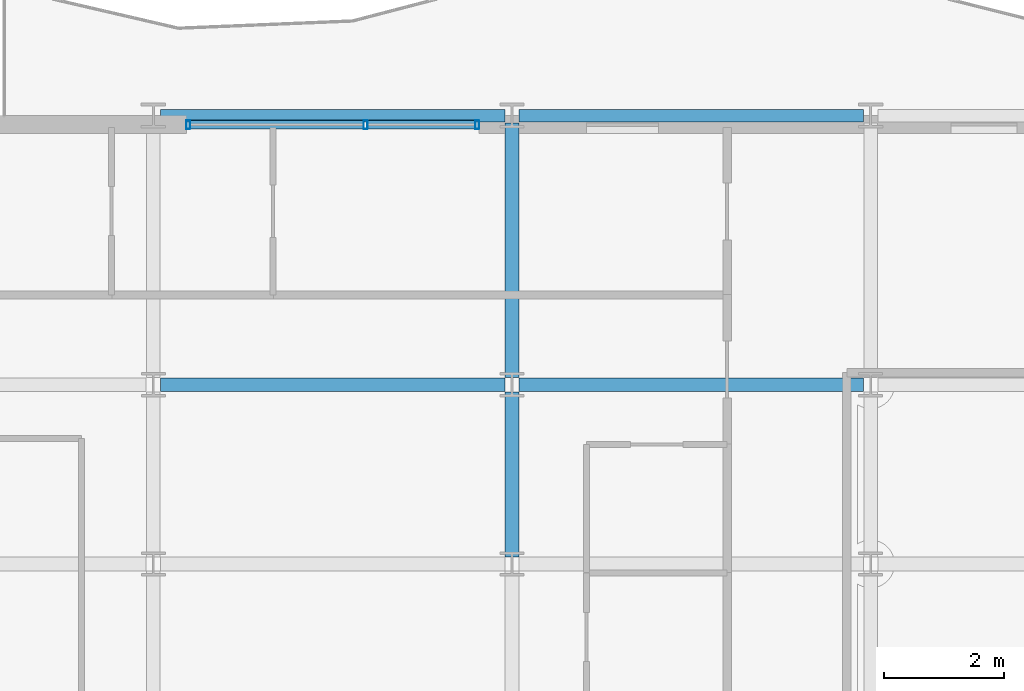
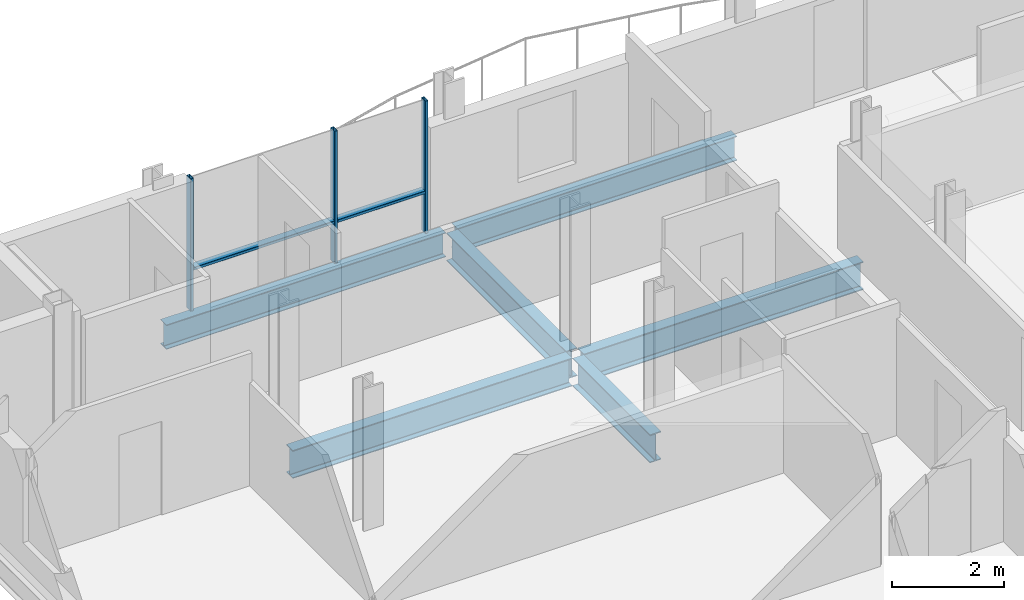
# One storey, part 9 of 40: 6 beams, 5 members, 1 element without a shape of its own.
"""IFC4 building model written with IfcOpenShell, lengths in metres."""

from ifc_helpers import new_model, si_unit, direction, frame, origin, origin_2d, place, context, subcontext, project, spatial, hollow_rectangle, i_section, extrude, material, layer, layer_set, material_profile, profile_set, type_object, element, aggregate, save


model = new_model("IFC4")

# Units and contexts
model_context = context("Model", 3, precision=1e-05, world=origin(), true_north=direction((0.0, 1.0)))
body_context = subcontext(model_context, "Body", "Model", "MODEL_VIEW")
ifc_project = project(units=[si_unit("LENGTHUNIT", "METRE"), si_unit("AREAUNIT", "SQUARE_METRE"), si_unit("VOLUMEUNIT", "CUBIC_METRE"), si_unit("PLANEANGLEUNIT", "RADIAN"), si_unit("MASSUNIT", "GRAM", prefix="KILO")], contexts=[model_context])

# Site, building, storey
site_placement = place(None, origin())
site = spatial("IfcSite", under=ifc_project, at=site_placement, CompositionType="ELEMENT")
building_placement = place(site_placement, origin())
building = spatial("IfcBuilding", under=site, at=building_placement, Name="Brevholm Reach", CompositionType="ELEMENT")
storey_placement = place(building_placement, frame((0.0, 0.0, 160.39990234375)))
storey = spatial("IfcBuildingStorey", under=building, at=storey_placement, Name="L48", CompositionType="ELEMENT", Elevation=160.39990234375)

# Beams
ifc_material_1 = material(Name="Structural Steel S355J2", Category="steel")
ifc_material_profile_1 = material_profile(ifc_material_1, i_section(OverallWidth=0.209228515625, OverallDepth=0.533203125, WebThickness=0.010009765625, FlangeThickness=0.015625, FilletRadius=0.0126953125, at=origin_2d()), Name="UKB 533x210x92")
ifc_profile_set_1 = profile_set([ifc_material_profile_1], Name="Structural Steel S355J2")
beam_type_1 = type_object("IfcBeamType", Name="BM-SP533", PredefinedType="SPANDREL", material=ifc_profile_set_1)
for number, where, z_axis, x_axis, name in (
    (1, (6.1201171875, 31.0, -0.486572265625), (1.0, 0.0, 0.0), (0.0, 1.0, 0.0), "L48 SP-02 Framing Beam"),
    (2, (12.1201171875, 31.0, -0.486572265625), (1.0, 0.0, 0.0), (0.0, 1.0, 0.0), "L48 SP-02 Framing Beam"),
):
    element("IfcBeam", number, at=place(storey_placement, frame(where, z_axis=z_axis, x_axis=x_axis)), inside=storey, type_object=beam_type_1, Name=name, PredefinedType="SPANDREL", context=body_context, shape_type="SweptSolid", body=[
        extrude(i_section(OverallWidth=0.209228515625, OverallDepth=0.533203125, WebThickness=0.010009765625, FlangeThickness=0.015625, FilletRadius=0.0126953125, at=origin_2d()), origin(), (0.0, 0.0, 1.0), 5.759765625),
    ])
ifc_material_2 = material(Name="Structural Steel S355J2", Category="steel")
ifc_material_profile_2 = material_profile(ifc_material_2, i_section(OverallWidth=0.22900390625, OverallDepth=0.6123046875, WebThickness=0.011962890625, FlangeThickness=0.01953125, FilletRadius=0.0126953125, at=origin_2d()), Name="UKB 610x229x125")
ifc_profile_set_2 = profile_set([ifc_material_profile_2], Name="Structural Steel S355J2")
beam_type_2 = type_object("IfcBeamType", Name="BM-SP610", PredefinedType="SPANDREL", material=ifc_profile_set_2)
for number, where, z_axis, x_axis, name in (
    (3, (6.1201171875, 26.5, -0.526123046875), (1.0, 0.0, 0.0), (0.0, 1.0, 0.0), "L48 SP-01 Framing Beam"),
    (4, (12.1201171875, 26.5, -0.526123046875), (1.0, 0.0, 0.0), (0.0, 1.0, 0.0), "L48 SP-01 Framing Beam"),
):
    element("IfcBeam", number, at=place(storey_placement, frame(where, z_axis=z_axis, x_axis=x_axis)), inside=storey, type_object=beam_type_2, Name=name, PredefinedType="SPANDREL", context=body_context, shape_type="SweptSolid", body=[
        extrude(i_section(OverallWidth=0.22900390625, OverallDepth=0.6123046875, WebThickness=0.011962890625, FlangeThickness=0.01953125, FilletRadius=0.0126953125, at=origin_2d()), origin(), (0.0, 0.0, 1.0), 5.759765625),
    ])
beam_1_placement = place(storey_placement, frame((12.0, 23.6201171875, -0.526123046875), z_axis=(0.0, 1.0, 0.0), x_axis=(-1.0, 0.0, 0.0)))
element("IfcBeam", 5, at=beam_1_placement, inside=storey, type_object=beam_type_2, Name="L48 SP-01 Framing Beam", PredefinedType="SPANDREL", context=body_context, shape_type="SweptSolid", body=[
    extrude(i_section(OverallWidth=0.22900390625, OverallDepth=0.6123046875, WebThickness=0.011962890625, FlangeThickness=0.01953125, FilletRadius=0.0126953125, at=origin_2d()), origin(), (0.0, 0.0, 1.0), 2.759765625),
])
beam_2_placement = place(storey_placement, frame((12.0, 26.6201171875, -0.526123046875), z_axis=(0.0, 1.0, 0.0), x_axis=(-1.0, 0.0, 0.0)))
element("IfcBeam", 6, at=beam_2_placement, inside=storey, type_object=beam_type_2, Name="L48 SP-01 Framing Beam", PredefinedType="SPANDREL", context=body_context, shape_type="SweptSolid", body=[
    extrude(i_section(OverallWidth=0.22900390625, OverallDepth=0.6123046875, WebThickness=0.011962890625, FlangeThickness=0.01953125, FilletRadius=0.0126953125, at=origin_2d()), origin(), (0.0, 0.0, 1.0), 4.259765625),
])

# Curtain wall, members
ifc_material_3 = material(Name="Dark Anodised Aluminium 6063-T6 and Solar-Control Glass", Category="aluminium")
ifc_layer = layer(ifc_material_3, 0.14990234375)
ifc_layer_set = layer_set([ifc_layer], Name="Dark Anodised Aluminium 6063-T6 and Solar-Control Glass")
curtain_wall_type = type_object("IfcCurtainWallType", Name="CW-01", PredefinedType="NOTDEFINED", material=ifc_layer_set)
curtain_wall_placement = place(storey_placement, origin())
curtain_wall = element("IfcCurtainWall", 7, at=curtain_wall_placement, inside=storey, type_object=curtain_wall_type, Name="L48 Curtain Wall CW-01", PredefinedType="NOTDEFINED")
ifc_material_4 = material(Name="Dark Anodised Aluminium 6063-T6", Category="aluminium")
ifc_material_profile_3 = material_profile(ifc_material_4, hollow_rectangle(XDim=0.06494140625, YDim=0.14990234375, WallThickness=0.0048828125, InnerFilletRadius=0.0048828125, OuterFilletRadius=0.010009765625, at=origin_2d()), Name="RHS 150x65x5")
ifc_profile_set_3 = profile_set([ifc_material_profile_3], Name="Dark Anodised Aluminium 6063-T6")
member_type_1 = type_object("IfcMemberType", Name="CWM-150", PredefinedType="MULLION", material=ifc_profile_set_3)
member_1_placement = place(storey_placement, frame((6.58251953125, 30.85009765625, 0.0), z_axis=(0.0, 0.0, 1.0), x_axis=(1.0, 0.0, 0.0)))
member_1 = element("IfcMember", 8, at=member_1_placement, type_object=member_type_1, Name="CM-150 Mullion 1", PredefinedType="MULLION", context=body_context, shape_type="SweptSolid", body=[
    extrude(hollow_rectangle(XDim=0.06494140625, YDim=0.14990234375, WallThickness=0.0048828125, InnerFilletRadius=0.0048828125, OuterFilletRadius=0.010009765625, at=origin_2d()), origin(), (0.0, 0.0, 1.0), 2.880126953125),
])
member_2_placement = place(storey_placement, frame((9.550048828125, 30.85009765625, 0.0), z_axis=(0.0, 0.0, 1.0), x_axis=(1.0, 0.0, 0.0)))
member_2 = element("IfcMember", 9, at=member_2_placement, type_object=member_type_1, Name="CM-150 Mullion 2", PredefinedType="MULLION", context=body_context, shape_type="SweptSolid", body=[
    extrude(hollow_rectangle(XDim=0.06494140625, YDim=0.14990234375, WallThickness=0.0048828125, InnerFilletRadius=0.0048828125, OuterFilletRadius=0.010009765625, at=origin_2d()), origin(), (0.0, 0.0, 1.0), 2.880126953125),
])
member_3_placement = place(storey_placement, frame((11.41748046875, 30.85009765625, 0.0), z_axis=(0.0, 0.0, 1.0), x_axis=(1.0, 0.0, 0.0)))
member_3 = element("IfcMember", 10, at=member_3_placement, type_object=member_type_1, Name="CM-150 Mullion 3", PredefinedType="MULLION", context=body_context, shape_type="SweptSolid", body=[
    extrude(hollow_rectangle(XDim=0.06494140625, YDim=0.14990234375, WallThickness=0.0048828125, InnerFilletRadius=0.0048828125, OuterFilletRadius=0.010009765625, at=origin_2d()), origin(), (0.0, 0.0, 1.0), 2.880126953125),
])
ifc_material_5 = material(Name="Dark Anodised Aluminium 6063-T6", Category="aluminium")
ifc_material_profile_4 = material_profile(ifc_material_5, hollow_rectangle(XDim=0.06494140625, YDim=0.14990234375, WallThickness=0.0048828125, InnerFilletRadius=0.0048828125, OuterFilletRadius=0.010009765625, at=origin_2d()), Name="RHS 150x65x5")
ifc_profile_set_4 = profile_set([ifc_material_profile_4], Name="Dark Anodised Aluminium 6063-T6")
member_type_2 = type_object("IfcMemberType", Name="CWT-150", PredefinedType="NOTDEFINED", material=ifc_profile_set_4)
member_4_placement = place(storey_placement, frame((6.614990234375, 30.85009765625, 0.900146484375), z_axis=(1.0, 0.0, 0.0), x_axis=(0.0, 0.0, 1.0)))
member_4 = element("IfcMember", 11, at=member_4_placement, type_object=member_type_2, Name="CT-150 Transom 1.1", ObjectType="TRANSOM", PredefinedType="USERDEFINED", context=body_context, shape_type="SweptSolid", body=[
    extrude(hollow_rectangle(XDim=0.06494140625, YDim=0.14990234375, WallThickness=0.0048828125, InnerFilletRadius=0.0048828125, OuterFilletRadius=0.010009765625, at=origin_2d()), origin(), (0.0, 0.0, 1.0), 2.902587890625),
])
member_5_placement = place(storey_placement, frame((9.58251953125, 30.85009765625, 0.900146484375), z_axis=(1.0, 0.0, 0.0), x_axis=(0.0, 0.0, 1.0)))
member_5 = element("IfcMember", 12, at=member_5_placement, type_object=member_type_2, Name="CT-150 Transom 2.1", ObjectType="TRANSOM", PredefinedType="USERDEFINED", context=body_context, shape_type="SweptSolid", body=[
    extrude(hollow_rectangle(XDim=0.06494140625, YDim=0.14990234375, WallThickness=0.0048828125, InnerFilletRadius=0.0048828125, OuterFilletRadius=0.010009765625, at=origin_2d()), origin(), (0.0, 0.0, 1.0), 1.802490234375),
])
aggregate(curtain_wall, [member_1, member_2, member_3, member_4, member_5])

save(model, "model.ifc")
